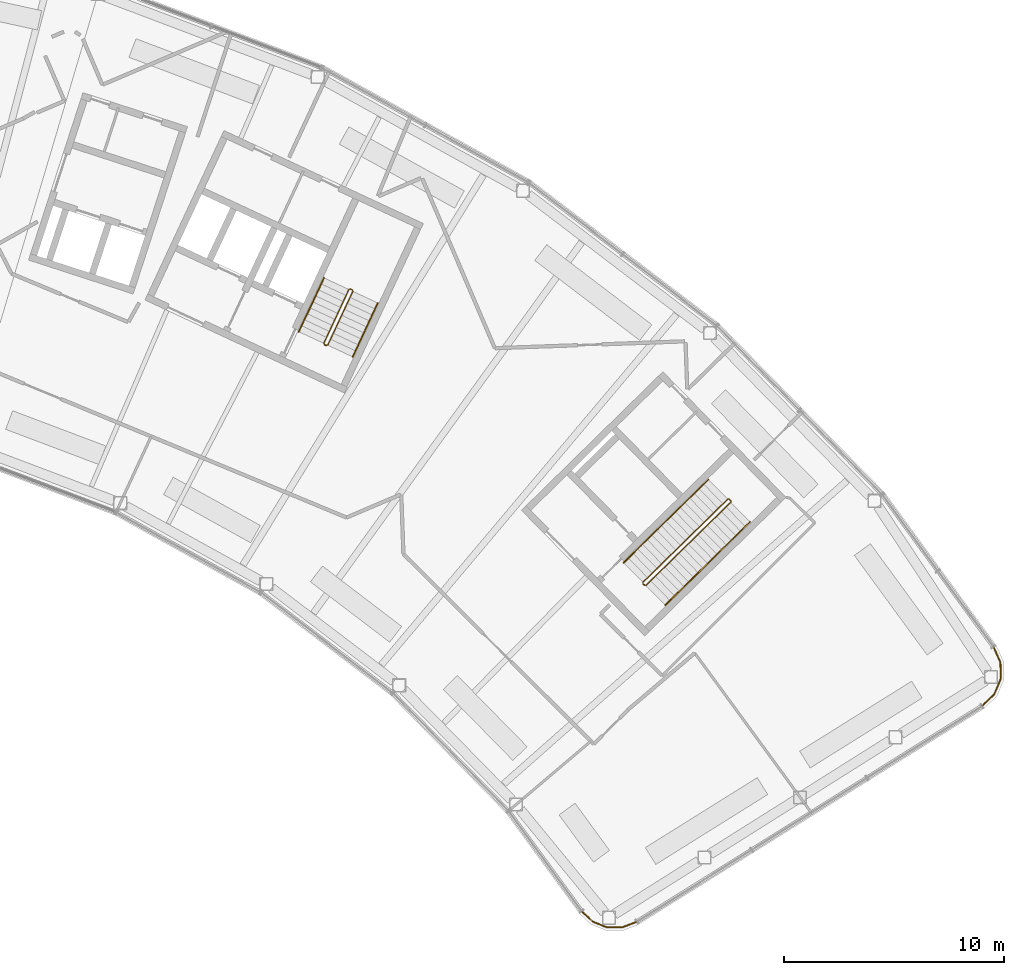
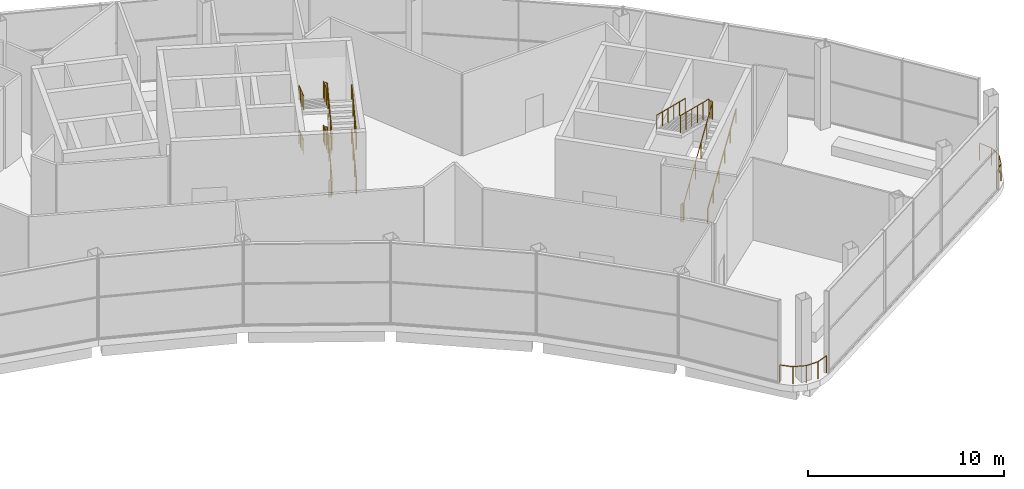
# One storey, part 42 of 43: 10 railings.
"""IFC4 building model written with IfcOpenShell, lengths in metres."""

from ifc_helpers import new_model, si_unit, direction, frame, origin, origin_2d, place, context, subcontext, project, spatial, circle, extrude, material, type_object, element, save


model = new_model("IFC4")

# Units and contexts
model_context = context("Model", 3, precision=1e-05, world=origin(), true_north=direction((0.0, 1.0)))
body_context = subcontext(model_context, "Body", "Model", "MODEL_VIEW")
ifc_project = project(units=[si_unit("LENGTHUNIT", "METRE"), si_unit("AREAUNIT", "SQUARE_METRE"), si_unit("VOLUMEUNIT", "CUBIC_METRE"), si_unit("PLANEANGLEUNIT", "RADIAN"), si_unit("MASSUNIT", "GRAM", prefix="KILO")], contexts=[model_context])

# Site, building, storey
site_placement = place(None, origin())
site = spatial("IfcSite", under=ifc_project, at=site_placement, CompositionType="ELEMENT")
building_placement = place(site_placement, origin())
building = spatial("IfcBuilding", under=site, at=building_placement, Name="Tuul Gate Civic Tower", CompositionType="ELEMENT")
storey_placement = place(building_placement, frame((0.0, 0.0, 349.10009765625)))
storey = spatial("IfcBuildingStorey", under=building, at=storey_placement, Name="Observation level 1", CompositionType="ELEMENT", Elevation=349.10009765625)

# Railings
ifc_material_1 = material(Name="Stainless steel", Category="steel")
railing_type_1 = type_object("IfcRailingType", Name="Edge guard", PredefinedType="GUARDRAIL", material=ifc_material_1)
railing_1_placement = place(storey_placement, frame((45.263916015625, -30.955078125, 0.0)))
element("IfcRailing", 1, at=railing_1_placement, inside=storey, type_object=railing_type_1, Name="Guard", PredefinedType="GUARDRAIL", context=body_context, shape_type="SweptSolid", body=[
    extrude(circle(Radius=0.02392578125, at=origin_2d()), frame((0.0, 0.0, 1.076171875), z_axis=(0.732667294309, -0.680586978901, 0.0), x_axis=(0.680586978901, 0.732667294309, 0.0)), (0.0, 0.0, 1.0), 0.689208984375),
    extrude(circle(Radius=0.02392578125, at=origin_2d()), frame((0.5048828125, -0.468994140625, 1.076171875), z_axis=(0.929355422999, -0.369186264293, 0.0), x_axis=(0.369186264293, 0.929355422999, 0.0)), (0.0, 0.0, 1.0), 0.687744140625),
    extrude(circle(Radius=0.02392578125, at=origin_2d()), frame((1.14404296875, -0.722900390625, 1.076171875), z_axis=(0.999995970368, -0.002838881392, 0.0), x_axis=(0.002838881392, 0.999995970368, 0.0)), (0.0, 0.0, 1.0), 0.68798828125),
    extrude(circle(Radius=0.02392578125, at=origin_2d()), frame((1.83203125, -0.724853515625, 1.076171875), z_axis=(0.93193147543, 0.362634423494, 0.0), x_axis=(-0.362634423494, 0.93193147543, 0.0)), (0.0, 0.0, 1.0), 0.688720703125),
    extrude(circle(Radius=0.02099609375, at=origin_2d()), origin(), (0.0, 0.0, 1.0), 1.052001953125),
    extrude(circle(Radius=0.02099609375, at=origin_2d()), frame((0.5048828125, -0.468994140625, 0.0)), (0.0, 0.0, 1.0), 1.052001953125),
    extrude(circle(Radius=0.02099609375, at=origin_2d()), frame((1.14404296875, -0.722900390625, 0.0)), (0.0, 0.0, 1.0), 1.052001953125),
    extrude(circle(Radius=0.02099609375, at=origin_2d()), frame((1.83203125, -0.724853515625, 0.0)), (0.0, 0.0, 1.0), 1.052001953125),
    extrude(circle(Radius=0.02099609375, at=origin_2d()), frame((2.473876953125, -0.47509765625, 0.0)), (0.0, 0.0, 1.0), 1.052001953125),
])
railing_2_placement = place(storey_placement, frame((63.468994140625, -21.60400390625, 0.0)))
element("IfcRailing", 2, at=railing_2_placement, inside=storey, type_object=railing_type_1, Name="Guard", PredefinedType="GUARDRAIL", context=body_context, shape_type="SweptSolid", body=[
    extrude(circle(Radius=0.02392578125, at=origin_2d()), frame((0.0, 0.0, 1.076171875), z_axis=(0.718993773209, 0.695016513535, 0.0), x_axis=(-0.695016513535, 0.718993773209, 0.0)), (0.0, 0.0, 1.0), 0.75341796875),
    extrude(circle(Radius=0.02392578125, at=origin_2d()), frame((0.541748046875, 0.523681640625, 1.076171875), z_axis=(0.385811143559, 0.922577780735, 0.0), x_axis=(-0.922577780735, 0.385811143559, 0.0)), (0.0, 0.0, 1.0), 0.753662109375),
    extrude(circle(Radius=0.02392578125, at=origin_2d()), frame((0.83251953125, 1.218994140625, 1.076171875), z_axis=(-0.014580433083, 0.999893699836, 0.0), x_axis=(-0.999893699836, -0.014580433083, 0.0)), (0.0, 0.0, 1.0), 0.75341796875),
    extrude(circle(Radius=0.02392578125, at=origin_2d()), frame((0.821533203125, 1.972412109375, 1.076171875), z_axis=(-0.413070533901, 0.910699035918, 0.0), x_axis=(-0.910699035918, -0.413070533901, 0.0)), (0.0, 0.0, 1.0), 0.753662109375),
    extrude(circle(Radius=0.02099609375, at=origin_2d()), origin(), (0.0, 0.0, 1.0), 1.052001953125),
    extrude(circle(Radius=0.02099609375, at=origin_2d()), frame((0.541748046875, 0.523681640625, 0.0)), (0.0, 0.0, 1.0), 1.052001953125),
    extrude(circle(Radius=0.02099609375, at=origin_2d()), frame((0.83251953125, 1.218994140625, 0.0)), (0.0, 0.0, 1.0), 1.052001953125),
    extrude(circle(Radius=0.02099609375, at=origin_2d()), frame((0.821533203125, 1.972412109375, 0.0)), (0.0, 0.0, 1.0), 1.052001953125),
    extrude(circle(Radius=0.02099609375, at=origin_2d()), frame((0.51025390625, 2.65869140625, 0.0)), (0.0, 0.0, 1.0), 1.052001953125),
])
ifc_material_2 = material(Name="Painted steel", Category="steel")
railing_type_2 = type_object("IfcRailingType", Name="Stair guard", PredefinedType="GUARDRAIL", material=ifc_material_2)
railing_3_placement = place(storey_placement, frame((48.10546875, -16.134765625, 0.0)))
element("IfcRailing", 3, at=railing_3_placement, inside=storey, type_object=railing_type_2, Name="Observation level 1 ST-3 stair guard 1", PredefinedType="GUARDRAIL", context=body_context, shape_type="SweptSolid", body=[
    extrude(circle(Radius=0.02392578125, at=origin_2d()), frame((0.0, 0.0, 1.076171875), z_axis=(-0.698506948293, 0.715603272202, 0.0), x_axis=(-0.715603272202, -0.698506948293, 0.0)), (0.0, 0.0, 1.0), 0.099853515625),
    extrude(circle(Radius=0.02392578125, at=origin_2d()), frame((-0.06982421875, 0.071533203125, 1.076171875), z_axis=(0.656474307888, -0.337354852665, 0.67470970533), x_axis=(0.457068866502, 0.889431307788, 0.0)), (0.0, 0.0, 1.0), 0.214111328125),
    extrude(circle(Radius=0.02392578125, at=origin_2d()), frame((0.07080078125, -0.000732421875, 1.220703125), z_axis=(0.643153938367, 0.630490381873, 0.434551366271), x_axis=(-0.700041577141, 0.714102086731, 0.0)), (0.0, 0.0, 1.0), 5.995849609375),
    extrude(circle(Radius=0.02392578125, at=origin_2d()), frame((3.927001953125, 3.779541015625, 3.826171875), z_axis=(0.010380063588, 0.999946125689, 0.0), x_axis=(-0.999946125689, 0.010380063588, 0.0)), (0.0, 0.0, 1.0), 0.070556640625),
    extrude(circle(Radius=0.02392578125, at=origin_2d()), frame((3.927734375, 3.85009765625, 3.826171875), z_axis=(-0.699754442181, 0.714383454909, 0.0), x_axis=(-0.714383454909, -0.699754442181, 0.0)), (0.0, 0.0, 1.0), 0.10009765625),
    extrude(circle(Radius=0.02392578125, at=origin_2d()), frame((3.857666015625, 3.921630859375, 3.826171875), z_axis=(-0.438688227587, 0.004553857034, 0.898627787998), x_axis=(-0.010380063588, -0.999946125689, 0.0)), (0.0, 0.0, 1.0), 0.160888671875),
    extrude(circle(Radius=0.02392578125, at=origin_2d()), frame((3.787109375, 3.92236328125, 3.970703125), z_axis=(-0.643177813039, -0.630473870416, 0.43453998612), x_axis=(0.700018976668, -0.714124241504, 0.0)), (0.0, 0.0, 1.0), 5.995849609375),
    extrude(circle(Radius=0.02099609375, at=origin_2d()), origin(), (0.0, 0.0, 1.0), 1.052001953125),
    extrude(circle(Radius=0.02099609375, at=origin_2d()), frame((-0.06982421875, 0.071533203125, 0.0)), (0.0, 0.0, 1.0), 1.052001953125),
    extrude(circle(Radius=0.02099609375, at=origin_2d()), frame((0.07080078125, -0.000732421875, 0.14453125)), (0.0, 0.0, 1.0), 1.052001953125),
    extrude(circle(Radius=0.02099609375, at=origin_2d()), frame((0.842041015625, 0.75537109375, 0.66552734375)), (0.0, 0.0, 1.0), 1.052001953125),
    extrude(circle(Radius=0.02099609375, at=origin_2d()), frame((1.61328125, 1.511474609375, 1.186767578125)), (0.0, 0.0, 1.0), 1.052001953125),
    extrude(circle(Radius=0.02099609375, at=origin_2d()), frame((2.384521484375, 2.267333984375, 1.707763671875)), (0.0, 0.0, 1.0), 1.052001953125),
    extrude(circle(Radius=0.02099609375, at=origin_2d()), frame((3.15576171875, 3.0234375, 2.22900390625)), (0.0, 0.0, 1.0), 1.052001953125),
    extrude(circle(Radius=0.02099609375, at=origin_2d()), frame((3.927001953125, 3.779541015625, 2.75)), (0.0, 0.0, 1.0), 1.052001953125),
    extrude(circle(Radius=0.02099609375, at=origin_2d()), frame((3.927734375, 3.85009765625, 2.75)), (0.0, 0.0, 1.0), 1.052001953125),
    extrude(circle(Radius=0.02099609375, at=origin_2d()), frame((3.857666015625, 3.921630859375, 2.75)), (0.0, 0.0, 1.0), 1.052001953125),
    extrude(circle(Radius=0.02099609375, at=origin_2d()), frame((3.787109375, 3.92236328125, 2.89453125)), (0.0, 0.0, 1.0), 1.052001953125),
    extrude(circle(Radius=0.02099609375, at=origin_2d()), frame((3.015869140625, 3.166259765625, 3.41552734375)), (0.0, 0.0, 1.0), 1.052001953125),
    extrude(circle(Radius=0.02099609375, at=origin_2d()), frame((2.24462890625, 2.41015625, 3.936767578125)), (0.0, 0.0, 1.0), 1.052001953125),
    extrude(circle(Radius=0.02099609375, at=origin_2d()), frame((1.47314453125, 1.654296875, 4.457763671875)), (0.0, 0.0, 1.0), 1.052001953125),
    extrude(circle(Radius=0.02099609375, at=origin_2d()), frame((0.701904296875, 0.898193359375, 4.97900390625)), (0.0, 0.0, 1.0), 1.052001953125),
    extrude(circle(Radius=0.02099609375, at=origin_2d()), frame((-0.0693359375, 0.14208984375, 5.5)), (0.0, 0.0, 1.0), 1.052001953125),
])
railing_4_placement = place(storey_placement, frame((33.645751953125, -5.238525390625, 0.0)))
element("IfcRailing", 4, at=railing_4_placement, inside=storey, type_object=railing_type_2, Name="Observation level 1 ST-4 stair guard 1", PredefinedType="GUARDRAIL", context=body_context, shape_type="SweptSolid", body=[
    extrude(circle(Radius=0.02392578125, at=origin_2d()), frame((0.0, 0.0, 1.076171875), z_axis=(-0.906307919131, 0.422617978463, 0.0), x_axis=(-0.422617978463, -0.906307919131, 0.0)), (0.0, 0.0, 1.0), 0.099853515625),
    extrude(circle(Radius=0.02392578125, at=origin_2d()), frame((-0.090576171875, 0.042236328125, 1.076171875), z_axis=(0.749554717654, -0.086262906853, 0.656297521056), x_axis=(0.114330889033, 0.993442724979, 0.0)), (0.0, 0.0, 1.0), 0.20947265625),
    extrude(circle(Radius=0.02392578125, at=origin_2d()), frame((0.06640625, 0.024169921875, 1.21337890625), z_axis=(0.384128331615, 0.823907183347, 0.416680186809), x_axis=(-0.906335550499, 0.422558717697, 0.0)), (0.0, 0.0, 1.0), 2.969970703125),
    extrude(circle(Radius=0.02392578125, at=origin_2d()), frame((1.207275390625, 2.47119140625, 2.451171875), z_axis=(-0.342020437038, 0.939692513883, 0.0), x_axis=(-0.939692513883, -0.342020437038, 0.0)), (0.0, 0.0, 1.0), 0.070556640625),
    extrude(circle(Radius=0.02392578125, at=origin_2d()), frame((1.18310546875, 2.53759765625, 2.451171875), z_axis=(-0.906307919131, 0.422617978463, 0.0), x_axis=(-0.422617978463, -0.906307919131, 0.0)), (0.0, 0.0, 1.0), 0.099853515625),
    extrude(circle(Radius=0.02392578125, at=origin_2d()), frame((1.092529296875, 2.579833984375, 2.451171875), z_axis=(-0.429664993184, -0.156385420313, 0.889343349863), x_axis=(0.342020437038, -0.939692513883, 0.0)), (0.0, 0.0, 1.0), 0.154541015625),
    extrude(circle(Radius=0.02392578125, at=origin_2d()), frame((1.026123046875, 2.5556640625, 2.58837890625), z_axis=(-0.384128331615, -0.823907183347, 0.416680186809), x_axis=(0.906335550499, -0.422558717697, 0.0)), (0.0, 0.0, 1.0), 2.969970703125),
    extrude(circle(Radius=0.02392578125, at=origin_2d()), frame((-0.11474609375, 0.108642578125, 3.826171875), z_axis=(0.726155646563, -0.687530346214, 0.0), x_axis=(0.687530346214, 0.726155646563, 0.0)), (0.0, 0.0, 1.0), 0.157958984375),
    extrude(circle(Radius=0.02392578125, at=origin_2d()), frame((0.0, 0.0, 3.826171875), z_axis=(-0.906307919131, 0.422617978463, 0.0), x_axis=(-0.422617978463, -0.906307919131, 0.0)), (0.0, 0.0, 1.0), 0.099853515625),
    extrude(circle(Radius=0.02392578125, at=origin_2d()), frame((-0.090576171875, 0.042236328125, 3.826171875), z_axis=(0.749554717654, -0.086262906853, 0.656297521056), x_axis=(0.114330889033, 0.993442724979, 0.0)), (0.0, 0.0, 1.0), 0.20947265625),
    extrude(circle(Radius=0.02392578125, at=origin_2d()), frame((0.06640625, 0.024169921875, 3.96337890625), z_axis=(0.384128331615, 0.823907183347, 0.416680186809), x_axis=(-0.906335550499, 0.422558717697, 0.0)), (0.0, 0.0, 1.0), 2.969970703125),
    extrude(circle(Radius=0.02392578125, at=origin_2d()), frame((1.207275390625, 2.47119140625, 5.201171875), z_axis=(-0.342020437038, 0.939692513883, 0.0), x_axis=(-0.939692513883, -0.342020437038, 0.0)), (0.0, 0.0, 1.0), 0.070556640625),
    extrude(circle(Radius=0.02392578125, at=origin_2d()), frame((1.18310546875, 2.53759765625, 5.201171875), z_axis=(-0.906307919131, 0.422617978463, 0.0), x_axis=(-0.422617978463, -0.906307919131, 0.0)), (0.0, 0.0, 1.0), 0.099853515625),
    extrude(circle(Radius=0.02392578125, at=origin_2d()), frame((1.092529296875, 2.579833984375, 5.201171875), z_axis=(-0.429664993184, -0.156385420313, 0.889343349863), x_axis=(0.342020437038, -0.939692513883, 0.0)), (0.0, 0.0, 1.0), 0.154541015625),
    extrude(circle(Radius=0.02392578125, at=origin_2d()), frame((1.026123046875, 2.5556640625, 5.33837890625), z_axis=(-0.384128331615, -0.823907183347, 0.416680186809), x_axis=(0.906335550499, -0.422558717697, 0.0)), (0.0, 0.0, 1.0), 2.969970703125),
    extrude(circle(Radius=0.02099609375, at=origin_2d()), origin(), (0.0, 0.0, 1.0), 1.052001953125),
    extrude(circle(Radius=0.02099609375, at=origin_2d()), frame((-0.090576171875, 0.042236328125, 0.0)), (0.0, 0.0, 1.0), 1.052001953125),
    extrude(circle(Radius=0.02099609375, at=origin_2d()), frame((0.06640625, 0.024169921875, 0.137451171875)), (0.0, 0.0, 1.0), 1.052001953125),
    extrude(circle(Radius=0.02099609375, at=origin_2d()), frame((0.44677734375, 0.83984375, 0.550048828125)), (0.0, 0.0, 1.0), 1.052001953125),
    extrude(circle(Radius=0.02099609375, at=origin_2d()), frame((0.826904296875, 1.655517578125, 0.96240234375)), (0.0, 0.0, 1.0), 1.052001953125),
    extrude(circle(Radius=0.02099609375, at=origin_2d()), frame((1.207275390625, 2.47119140625, 1.375)), (0.0, 0.0, 1.0), 1.052001953125),
    extrude(circle(Radius=0.02099609375, at=origin_2d()), frame((1.18310546875, 2.53759765625, 1.375)), (0.0, 0.0, 1.0), 1.052001953125),
    extrude(circle(Radius=0.02099609375, at=origin_2d()), frame((1.092529296875, 2.579833984375, 1.375)), (0.0, 0.0, 1.0), 1.052001953125),
    extrude(circle(Radius=0.02099609375, at=origin_2d()), frame((1.026123046875, 2.5556640625, 1.512451171875)), (0.0, 0.0, 1.0), 1.052001953125),
    extrude(circle(Radius=0.02099609375, at=origin_2d()), frame((0.645751953125, 1.739990234375, 1.925048828125)), (0.0, 0.0, 1.0), 1.052001953125),
    extrude(circle(Radius=0.02099609375, at=origin_2d()), frame((0.265625, 0.92431640625, 2.33740234375)), (0.0, 0.0, 1.0), 1.052001953125),
    extrude(circle(Radius=0.02099609375, at=origin_2d()), frame((-0.11474609375, 0.108642578125, 2.75)), (0.0, 0.0, 1.0), 1.052001953125),
    extrude(circle(Radius=0.02099609375, at=origin_2d()), frame((0.0, 0.0, 2.75)), (0.0, 0.0, 1.0), 1.052001953125),
    extrude(circle(Radius=0.02099609375, at=origin_2d()), frame((-0.090576171875, 0.042236328125, 2.75)), (0.0, 0.0, 1.0), 1.052001953125),
    extrude(circle(Radius=0.02099609375, at=origin_2d()), frame((0.06640625, 0.024169921875, 2.887451171875)), (0.0, 0.0, 1.0), 1.052001953125),
    extrude(circle(Radius=0.02099609375, at=origin_2d()), frame((0.44677734375, 0.83984375, 3.300048828125)), (0.0, 0.0, 1.0), 1.052001953125),
    extrude(circle(Radius=0.02099609375, at=origin_2d()), frame((0.826904296875, 1.655517578125, 3.71240234375)), (0.0, 0.0, 1.0), 1.052001953125),
    extrude(circle(Radius=0.02099609375, at=origin_2d()), frame((1.207275390625, 2.47119140625, 4.125)), (0.0, 0.0, 1.0), 1.052001953125),
    extrude(circle(Radius=0.02099609375, at=origin_2d()), frame((1.18310546875, 2.53759765625, 4.125)), (0.0, 0.0, 1.0), 1.052001953125),
    extrude(circle(Radius=0.02099609375, at=origin_2d()), frame((1.092529296875, 2.579833984375, 4.125)), (0.0, 0.0, 1.0), 1.052001953125),
    extrude(circle(Radius=0.02099609375, at=origin_2d()), frame((1.026123046875, 2.5556640625, 4.262451171875)), (0.0, 0.0, 1.0), 1.052001953125),
    extrude(circle(Radius=0.02099609375, at=origin_2d()), frame((0.645751953125, 1.739990234375, 4.675048828125)), (0.0, 0.0, 1.0), 1.052001953125),
    extrude(circle(Radius=0.02099609375, at=origin_2d()), frame((0.265625, 0.92431640625, 5.08740234375)), (0.0, 0.0, 1.0), 1.052001953125),
    extrude(circle(Radius=0.02099609375, at=origin_2d()), frame((-0.11474609375, 0.108642578125, 5.5)), (0.0, 0.0, 1.0), 1.052001953125),
])
ifc_material_3 = material(Name="Painted steel", Category="steel")
railing_type_3 = type_object("IfcRailingType", Name="Stair handrail", PredefinedType="HANDRAIL", material=ifc_material_3)
railing_5_placement = place(storey_placement, frame((49.05126953125, -17.028076171875, 0.14453125)))
element("IfcRailing", 5, at=railing_5_placement, inside=storey, type_object=railing_type_3, Name="Observation level 1 ST-3 stair handrail 1", PredefinedType="HANDRAIL", context=body_context, shape_type="SweptSolid", body=[
    extrude(circle(Radius=0.02392578125, at=origin_2d()), frame((0.0, 0.0, 0.8759765625), z_axis=(0.643170450053, 0.63046584857, 0.434562522505), x_axis=(-0.700018521251, 0.714124687926, 0.0)), (0.0, 0.0, 1.0), 5.99560546875),
    extrude(circle(Radius=0.02099609375, at=origin_2d()), origin(), (0.0, 0.0, 1.0), 0.851806640625),
    extrude(circle(Radius=0.02099609375, at=origin_2d()), frame((0.771240234375, 0.756103515625, 0.52099609375)), (0.0, 0.0, 1.0), 0.851806640625),
    extrude(circle(Radius=0.02099609375, at=origin_2d()), frame((1.54248046875, 1.511962890625, 1.042236328125)), (0.0, 0.0, 1.0), 0.851806640625),
    extrude(circle(Radius=0.02099609375, at=origin_2d()), frame((2.313720703125, 2.26806640625, 1.563232421875)), (0.0, 0.0, 1.0), 0.851806640625),
    extrude(circle(Radius=0.02099609375, at=origin_2d()), frame((3.0849609375, 3.02392578125, 2.08447265625)), (0.0, 0.0, 1.0), 0.851806640625),
    extrude(circle(Radius=0.02099609375, at=origin_2d()), frame((3.856201171875, 3.780029296875, 2.60546875)), (0.0, 0.0, 1.0), 0.851806640625),
])
railing_6_placement = place(storey_placement, frame((51.017578125, -11.31982421875, 2.89453125)))
element("IfcRailing", 6, at=railing_6_placement, inside=storey, type_object=railing_type_3, Name="Observation level 1 ST-3 stair handrail 2", PredefinedType="HANDRAIL", context=body_context, shape_type="SweptSolid", body=[
    extrude(circle(Radius=0.02392578125, at=origin_2d()), frame((0.0, 0.0, 0.8759765625), z_axis=(-0.643194324472, -0.630449336908, 0.434551141477), x_axis=(0.699995920092, -0.714146841941, 0.0)), (0.0, 0.0, 1.0), 5.995849609375),
    extrude(circle(Radius=0.02099609375, at=origin_2d()), origin(), (0.0, 0.0, 1.0), 0.851806640625),
    extrude(circle(Radius=0.02099609375, at=origin_2d()), frame((-0.771240234375, -0.756103515625, 0.52099609375)), (0.0, 0.0, 1.0), 0.851806640625),
    extrude(circle(Radius=0.02099609375, at=origin_2d()), frame((-1.54248046875, -1.511962890625, 1.042236328125)), (0.0, 0.0, 1.0), 0.851806640625),
    extrude(circle(Radius=0.02099609375, at=origin_2d()), frame((-2.31396484375, -2.26806640625, 1.563232421875)), (0.0, 0.0, 1.0), 0.851806640625),
    extrude(circle(Radius=0.02099609375, at=origin_2d()), frame((-3.085205078125, -3.02392578125, 2.08447265625)), (0.0, 0.0, 1.0), 0.851806640625),
    extrude(circle(Radius=0.02099609375, at=origin_2d()), frame((-3.8564453125, -3.780029296875, 2.60546875)), (0.0, 0.0, 1.0), 0.851806640625),
])
railing_7_placement = place(storey_placement, frame((34.844970703125, -5.74267578125, 0.137451171875)))
element("IfcRailing", 7, at=railing_7_placement, inside=storey, type_object=railing_type_3, Name="Observation level 1 ST-4 stair handrail 1", PredefinedType="HANDRAIL", context=body_context, shape_type="SweptSolid", body=[
    extrude(circle(Radius=0.02392578125, at=origin_2d()), frame((0.0, 0.0, 0.8759765625), z_axis=(0.384198400721, 0.823881166116, 0.416667028937), x_axis=(-0.906300917592, 0.422632992999, 0.0)), (0.0, 0.0, 1.0), 2.97021484375),
    extrude(circle(Radius=0.02099609375, at=origin_2d()), origin(), (0.0, 0.0, 1.0), 0.851806640625),
    extrude(circle(Radius=0.02099609375, at=origin_2d()), frame((0.38037109375, 0.815673828125, 0.41259765625)), (0.0, 0.0, 1.0), 0.851806640625),
    extrude(circle(Radius=0.02099609375, at=origin_2d()), frame((0.7607421875, 1.63134765625, 0.824951171875)), (0.0, 0.0, 1.0), 0.851806640625),
    extrude(circle(Radius=0.02099609375, at=origin_2d()), frame((1.14111328125, 2.447021484375, 1.237548828125)), (0.0, 0.0, 1.0), 0.851806640625),
])
railing_8_placement = place(storey_placement, frame((33.538818359375, -2.154541015625, 1.512451171875)))
element("IfcRailing", 8, at=railing_8_placement, inside=storey, type_object=railing_type_3, Name="Observation level 1 ST-4 stair handrail 2", PredefinedType="HANDRAIL", context=body_context, shape_type="SweptSolid", body=[
    extrude(circle(Radius=0.02392578125, at=origin_2d()), frame((0.0, 0.0, 0.8759765625), z_axis=(-0.384128331615, -0.823907183347, 0.416680186809), x_axis=(0.906335550499, -0.422558717697, 0.0)), (0.0, 0.0, 1.0), 2.969970703125),
    extrude(circle(Radius=0.02099609375, at=origin_2d()), origin(), (0.0, 0.0, 1.0), 0.851806640625),
    extrude(circle(Radius=0.02099609375, at=origin_2d()), frame((-0.38037109375, -0.815673828125, 0.41259765625)), (0.0, 0.0, 1.0), 0.851806640625),
    extrude(circle(Radius=0.02099609375, at=origin_2d()), frame((-0.760498046875, -1.63134765625, 0.824951171875)), (0.0, 0.0, 1.0), 0.851806640625),
    extrude(circle(Radius=0.02099609375, at=origin_2d()), frame((-1.140869140625, -2.447021484375, 1.237548828125)), (0.0, 0.0, 1.0), 0.851806640625),
])
railing_9_placement = place(storey_placement, frame((34.844970703125, -5.74267578125, 2.887451171875)))
element("IfcRailing", 9, at=railing_9_placement, inside=storey, type_object=railing_type_3, Name="Observation level 1 ST-4 stair handrail 3", PredefinedType="HANDRAIL", context=body_context, shape_type="SweptSolid", body=[
    extrude(circle(Radius=0.02392578125, at=origin_2d()), frame((0.0, 0.0, 0.8759765625), z_axis=(0.384198400721, 0.823881166116, 0.416667028937), x_axis=(-0.906300917592, 0.422632992999, 0.0)), (0.0, 0.0, 1.0), 2.97021484375),
    extrude(circle(Radius=0.02099609375, at=origin_2d()), origin(), (0.0, 0.0, 1.0), 0.851806640625),
    extrude(circle(Radius=0.02099609375, at=origin_2d()), frame((0.38037109375, 0.815673828125, 0.41259765625)), (0.0, 0.0, 1.0), 0.851806640625),
    extrude(circle(Radius=0.02099609375, at=origin_2d()), frame((0.7607421875, 1.63134765625, 0.824951171875)), (0.0, 0.0, 1.0), 0.851806640625),
    extrude(circle(Radius=0.02099609375, at=origin_2d()), frame((1.14111328125, 2.447021484375, 1.237548828125)), (0.0, 0.0, 1.0), 0.851806640625),
])
railing_10_placement = place(storey_placement, frame((33.538818359375, -2.154541015625, 4.262451171875)))
element("IfcRailing", 10, at=railing_10_placement, inside=storey, type_object=railing_type_3, Name="Observation level 1 ST-4 stair handrail 4", PredefinedType="HANDRAIL", context=body_context, shape_type="SweptSolid", body=[
    extrude(circle(Radius=0.02392578125, at=origin_2d()), frame((0.0, 0.0, 0.8759765625), z_axis=(-0.384128331615, -0.823907183347, 0.416680186809), x_axis=(0.906335550499, -0.422558717697, 0.0)), (0.0, 0.0, 1.0), 2.969970703125),
    extrude(circle(Radius=0.02099609375, at=origin_2d()), origin(), (0.0, 0.0, 1.0), 0.851806640625),
    extrude(circle(Radius=0.02099609375, at=origin_2d()), frame((-0.38037109375, -0.815673828125, 0.41259765625)), (0.0, 0.0, 1.0), 0.851806640625),
    extrude(circle(Radius=0.02099609375, at=origin_2d()), frame((-0.760498046875, -1.63134765625, 0.824951171875)), (0.0, 0.0, 1.0), 0.851806640625),
    extrude(circle(Radius=0.02099609375, at=origin_2d()), frame((-1.140869140625, -2.447021484375, 1.237548828125)), (0.0, 0.0, 1.0), 0.851806640625),
])

save(model, "model.ifc")
